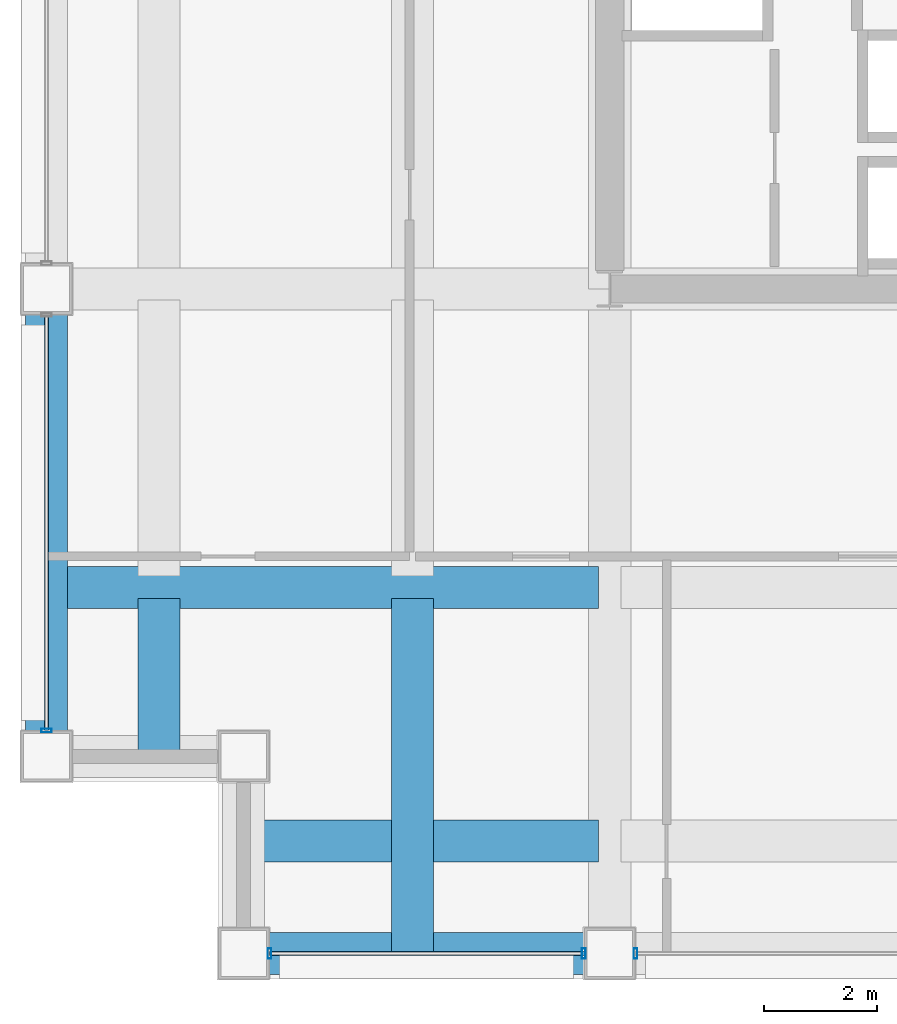
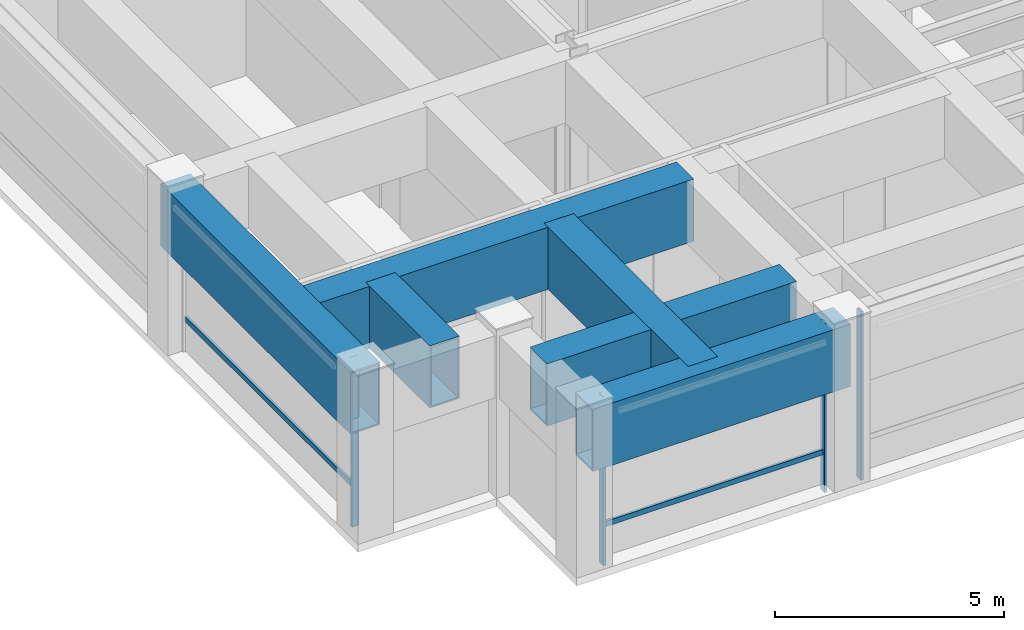
# One storey, part 2 of 29: 6 beams, 6 members, 3 elements without a shape of their own.
"""IFC4 building model written with IfcOpenShell, lengths in metres."""

import ifcopenshell
import ifcopenshell.guid

model = None  # the IFC model being written
_history = None  # IfcOwnerHistory: only IFC2X3 demands one
_inside = {}  # id of a spatial element -> (the spatial element, [elements in it])
_under = {}  # id of a project, library or spatial element -> (it, [spatial elements below it])
_declared = {}  # id of a project -> (the project, [libraries it declares])
_typed = {}  # id of a type object -> (the type object, [elements of that type])
_made_of = {}  # id of a material, layer set ... -> (it, [elements and type objects made of it])


def new_model(schema):
    """Start an empty IFC model of exactly this schema.

    Asked for "IFC4X3", IfcOpenShell would pick the latest addendum, in which some entities
    have other attributes; the version numbers below select the first issue.
    IFC2X3 requires an IfcOwnerHistory on every rooted entity: one is made here for all.
    """
    global model, _history
    if schema == "IFC4X3":
        model = ifcopenshell.file(schema_version=(4, 3, 0, 0))
    else:
        model = ifcopenshell.file(schema=schema)
    _inside.clear()
    _under.clear()
    _declared.clear()
    _typed.clear()
    _made_of.clear()
    _history = None
    if model.schema == "IFC2X3":
        org = make("IfcOrganization", Name="unknown")
        user = make(
            "IfcPersonAndOrganization",
            ThePerson=make("IfcPerson", FamilyName="unknown"),
            TheOrganization=org,
        )
        app = make(
            "IfcApplication",
            ApplicationDeveloper=org,
            Version="unknown",
            ApplicationFullName="unknown",
            ApplicationIdentifier="unknown",
        )
        _history = make(
            "IfcOwnerHistory",
            OwningUser=user,
            OwningApplication=app,
            ChangeAction="ADDED",
            CreationDate=0,
        )
    return model


def make(cls, **values):
    """One entity of the class cls with the attributes given. An attribute that is None is left unset."""
    return model.create_entity(
        cls, **{name: value for name, value in values.items() if value is not None}
    )


def rooted(cls, **values):
    """An entity with a GlobalId (a new one), such as an element, a storey or a relation."""
    return make(cls, GlobalId=ifcopenshell.guid.new(), OwnerHistory=_history, **values)


def si_unit(unit_type, name, prefix=None):
    """IfcSIUnit, for example si_unit("LENGTHUNIT", "METRE", prefix="MILLI")."""
    return make("IfcSIUnit", UnitType=unit_type, Prefix=prefix, Name=name)


def assignment(units):
    """IfcUnitAssignment: the units of a project."""
    return None if units is None else make("IfcUnitAssignment", Units=units)


def point(xyz):
    """IfcCartesianPoint."""
    return None if xyz is None else make("IfcCartesianPoint", Coordinates=xyz)


def direction(xyz):
    """IfcDirection."""
    return None if xyz is None else make("IfcDirection", DirectionRatios=xyz)


def frame(location, z_axis=None, x_axis=None):
    """IfcAxis2Placement3D, a coordinate frame: its origin and axes. An axis left out is left unset."""
    return make(
        "IfcAxis2Placement3D",
        Location=point(location),
        Axis=direction(z_axis),
        RefDirection=direction(x_axis),
    )


def frame_2d(location, x_axis=None):
    """IfcAxis2Placement2D, a coordinate frame in the plane: its origin and x axis."""
    return make(
        "IfcAxis2Placement2D", Location=point(location), RefDirection=direction(x_axis)
    )


def origin():
    """The frame at (0, 0, 0) with its axes left unset."""
    return frame((0.0, 0.0, 0.0))


def origin_2d():
    """The frame at (0, 0) in the plane with its x axis left unset."""
    return frame_2d((0.0, 0.0))


def place(relative_to, where):
    """IfcLocalPlacement: puts the frame where relative to a parent placement (None: the world)."""
    return make(
        "IfcLocalPlacement", PlacementRelTo=relative_to, RelativePlacement=where
    )


def context(
    kind, dimensions, precision=None, world=None, true_north=None, identifier=None
):
    """IfcGeometricRepresentationContext, for example the 3D "Model" context."""
    return make(
        "IfcGeometricRepresentationContext",
        ContextIdentifier=identifier,
        ContextType=kind,
        CoordinateSpaceDimension=dimensions,
        Precision=precision,
        WorldCoordinateSystem=world,
        TrueNorth=true_north,
    )


def subcontext(parent, identifier, kind, view, scale=None):
    """IfcGeometricRepresentationSubContext, for example "Body" below "Model"."""
    return make(
        "IfcGeometricRepresentationSubContext",
        ContextIdentifier=identifier,
        ContextType=kind,
        ParentContext=parent,
        TargetScale=scale,
        TargetView=view,
    )


def project(units=None, contexts=None):
    """IfcProject with its units and contexts."""
    return rooted(
        "IfcProject",
        Name="project",
        RepresentationContexts=contexts,
        UnitsInContext=assignment(units),
    )


def spatial(cls, under=None, at=None, **own):
    """A site, building, storey or space (cls), placed at a placement, below another one or the project."""
    s = rooted(cls, ObjectPlacement=at, **own)
    if under is not None:
        _under.setdefault(under.id(), (under, []))[1].append(s)
    return s


def profile(cls, at=None, kind="AREA", **sizes):
    """A parametric profile (cls). Its sizes go by their IFC names, for example OverallWidth=200.0."""
    return make(cls, ProfileType=kind, Position=at, **sizes)


def hollow_rectangle(**sizes):
    """IfcRectangleHollowProfileDef."""
    return profile("IfcRectangleHollowProfileDef", **sizes)


def extrude(swept, where, along, depth):
    """IfcExtrudedAreaSolid: the profile swept, set in the frame where, extruded along a direction by depth."""
    return make(
        "IfcExtrudedAreaSolid",
        SweptArea=swept,
        Position=where,
        ExtrudedDirection=direction(along),
        Depth=depth,
    )


def shape(context_of_items, identifier, shape_type, items):
    """IfcShapeRepresentation: the items that make up one representation, for example the "Body"."""
    return make(
        "IfcShapeRepresentation",
        ContextOfItems=context_of_items,
        RepresentationIdentifier=identifier,
        RepresentationType=shape_type,
        Items=items,
    )


def material(Name=None, Category=None):
    """IfcMaterial."""
    return make("IfcMaterial", Name=Name, Category=Category)


def layer(
    of_material, thickness, ventilated=None, Name=None, Category=None, Priority=None
):
    """IfcMaterialLayer: one layer of a wall or slab, of a material (None: an air gap)."""
    return make(
        "IfcMaterialLayer",
        Material=of_material,
        LayerThickness=thickness,
        IsVentilated=ventilated,
        Name=Name,
        Category=Category,
        Priority=Priority,
    )


def layer_set(layers, Name=None):
    """IfcMaterialLayerSet."""
    return make("IfcMaterialLayerSet", MaterialLayers=layers, LayerSetName=Name)


def material_profile(
    of_material, cross_section, Name=None, Category=None, Priority=None
):
    """IfcMaterialProfile: a cross section and its material."""
    return make(
        "IfcMaterialProfile",
        Name=Name,
        Material=of_material,
        Profile=cross_section,
        Priority=Priority,
        Category=Category,
    )


def profile_set(profiles, Name=None, composite=None):
    """IfcMaterialProfileSet."""
    return make(
        "IfcMaterialProfileSet",
        Name=Name,
        MaterialProfiles=profiles,
        CompositeProfile=composite,
    )


def made_of(thing, what):
    """Note that an element or type object is made of a material, layer set ...; save() writes the relation."""
    if what is not None:
        _made_of.setdefault(what.id(), (what, []))[1].append(thing)
    return thing


def type_object(cls, material=None, **own):
    """A type object (cls), such as IfcWallType, which elements share."""
    return made_of(rooted(cls, **own), material)


def element(
    cls,
    number,
    at=None,
    inside=None,
    cuts=None,
    type_object=None,
    material=None,
    context=None,
    identifier="Body",
    shape_type=None,
    held_by="IfcProductDefinitionShape",
    body=None,
    shapes=None,
    **own,
):
    """One element of the class cls, such as IfcWall. Its Tag is "e" and its number.

    at: its placement. inside: the storey or other place that contains it. cuts: it is an
    opening in that element (IfcRelVoidsElement). A single representation is given by context,
    identifier, shape_type and body (its items); several are given by shapes. held_by: the class
    of the entity that holds the representations. save() writes the other relations.
    """
    e = rooted(cls, Tag="e%d" % number, ObjectPlacement=at, **own)
    if body is not None:
        shapes = [shape(context, identifier, shape_type, body)]
    if shapes is not None:
        e.Representation = make(held_by, Representations=shapes)
    if inside is not None:
        _inside.setdefault(inside.id(), (inside, []))[1].append(e)
    if cuts is not None:
        rooted(
            "IfcRelVoidsElement", RelatingBuildingElement=cuts, RelatedOpeningElement=e
        )
    if type_object is not None:
        _typed.setdefault(type_object.id(), (type_object, []))[1].append(e)
    return made_of(e, material)


def aggregate(whole, parts):
    """IfcRelAggregates: a whole, such as a stair, and the parts it consists of."""
    return rooted("IfcRelAggregates", RelatingObject=whole, RelatedObjects=parts)


def save(model, path):
    """Write the relations noted so far, then the file.

    IfcRelAggregates (storeys below a building ...), IfcRelContainedInSpatialStructure (elements
    in a storey), IfcRelDefinesByType, IfcRelAssociatesMaterial and IfcRelDeclares: one each for
    every whole, place, type object, material and project.
    """
    for whole, parts in _under.values():
        aggregate(whole, parts)
    for where, things in _inside.values():
        rooted(
            "IfcRelContainedInSpatialStructure",
            RelatedElements=things,
            RelatingStructure=where,
        )
    for kind, things in _typed.values():
        rooted("IfcRelDefinesByType", RelatedObjects=things, RelatingType=kind)
    for what, things in _made_of.values():
        rooted("IfcRelAssociatesMaterial", RelatedObjects=things, RelatingMaterial=what)
    for by, libraries in _declared.values():
        rooted("IfcRelDeclares", RelatingContext=by, RelatedDefinitions=libraries)
    model.write(path)


model = new_model("IFC4")

# Units and contexts
model_context = context("Model", 3, precision=1e-05, world=origin(), true_north=direction((0.0, 1.0)))
body_context = subcontext(model_context, "Body", "Model", "MODEL_VIEW")
ifc_project = project(units=[si_unit("LENGTHUNIT", "METRE"), si_unit("AREAUNIT", "SQUARE_METRE"), si_unit("VOLUMEUNIT", "CUBIC_METRE"), si_unit("PLANEANGLEUNIT", "RADIAN"), si_unit("MASSUNIT", "GRAM", prefix="KILO")], contexts=[model_context])

# Site, building, storey
site_placement = place(None, origin())
site = spatial("IfcSite", under=ifc_project, at=site_placement, CompositionType="ELEMENT")
building_placement = place(site_placement, origin())
building = spatial("IfcBuilding", under=site, at=building_placement, Name="Brelmoor Portico Tower", CompositionType="ELEMENT")
storey_placement = place(building_placement, frame((0.0, 0.0, 82.800048828125)))
storey = spatial("IfcBuildingStorey", under=building, at=storey_placement, Name="L21", CompositionType="ELEMENT", Elevation=82.800048828125)

# Beams
ifc_material_1 = material(Name="Steel Q355B", Category="steel")
ifc_material_profile_1 = material_profile(ifc_material_1, hollow_rectangle(XDim=0.75, YDim=1.659912109375, WallThickness=0.0419921875, at=origin_2d()), Name="BOX 750x1660x42")
ifc_profile_set_1 = profile_set([ifc_material_profile_1], Name="Steel Q355B")
beam_type = type_object("IfcBeamType", Name="BM-TG-Z2", PredefinedType="BEAM", material=ifc_profile_set_1)
beam_1_placement = place(storey_placement, frame((-21.050048828125, -21.550048828125, 3.469970703125), z_axis=(1.0, 0.0, 0.0), x_axis=(0.0, 1.0, 0.0)))
element("IfcBeam", 1, at=beam_1_placement, inside=storey, type_object=beam_type, Name="L21 Perimeter Transfer Beam SP-01", PredefinedType="BEAM", context=body_context, shape_type="SweptSolid", body=[
    extrude(hollow_rectangle(XDim=0.75, YDim=1.659912109375, WallThickness=0.0419921875, at=origin_2d()), origin(), (0.0, 0.0, 1.0), 6.5),
])
beam_2_placement = place(storey_placement, frame((-24.550048828125, -18.050048828125, 3.469970703125), z_axis=(0.0, 1.0, 0.0), x_axis=(-1.0, 0.0, 0.0)))
element("IfcBeam", 2, at=beam_2_placement, inside=storey, type_object=beam_type, Name="L21 Perimeter Transfer Beam SP-15", PredefinedType="BEAM", context=body_context, shape_type="SweptSolid", body=[
    extrude(hollow_rectangle(XDim=0.75, YDim=1.659912109375, WallThickness=0.0419921875, at=origin_2d()), origin(), (0.0, 0.0, 1.0), 8.300048828125),
])
beam_3_placement = place(storey_placement, frame((-21.050048828125, -19.550048828125, 3.469970703125), z_axis=(1.0, 0.0, 0.0), x_axis=(0.0, 1.0, 0.0)))
element("IfcBeam", 3, at=beam_3_placement, inside=storey, type_object=beam_type, Name="L21 Setback Transfer Girder TGN-01", PredefinedType="BEAM", context=body_context, shape_type="SweptSolid", body=[
    extrude(hollow_rectangle(XDim=0.75, YDim=1.659912109375, WallThickness=0.0419921875, at=origin_2d()), origin(), (0.0, 0.0, 1.0), 6.300048828125),
])
beam_4_placement = place(storey_placement, frame((-24.550048828125, -15.050048828125, 3.469970703125), z_axis=(1.0, 0.0, 0.0), x_axis=(0.0, 1.0, 0.0)))
element("IfcBeam", 4, at=beam_4_placement, inside=storey, type_object=beam_type, Name="L21 Setback Transfer Girder TGN-11", PredefinedType="BEAM", context=body_context, shape_type="SweptSolid", body=[
    extrude(hollow_rectangle(XDim=0.75, YDim=1.659912109375, WallThickness=0.0419921875, at=origin_2d()), origin(), (0.0, 0.0, 1.0), 9.800048828125),
])
beam_5_placement = place(storey_placement, frame((-18.050048828125, -21.550048828125, 3.469970703125), z_axis=(0.0, 1.0, 0.0), x_axis=(-1.0, 0.0, 0.0)))
element("IfcBeam", 5, at=beam_5_placement, inside=storey, type_object=beam_type, Name="L21 Setback Transfer Girder TGN-21", PredefinedType="BEAM", context=body_context, shape_type="SweptSolid", body=[
    extrude(hollow_rectangle(XDim=0.75, YDim=1.659912109375, WallThickness=0.0419921875, at=origin_2d()), origin(), (0.0, 0.0, 1.0), 6.300048828125),
])
beam_6_placement = place(storey_placement, frame((-22.550048828125, -18.050048828125, 3.469970703125), z_axis=(0.0, 1.0, 0.0), x_axis=(-1.0, 0.0, 0.0)))
element("IfcBeam", 6, at=beam_6_placement, inside=storey, type_object=beam_type, Name="L21 Setback Transfer Girder TGN-31", PredefinedType="BEAM", context=body_context, shape_type="SweptSolid", body=[
    extrude(hollow_rectangle(XDim=0.75, YDim=1.659912109375, WallThickness=0.0419921875, at=origin_2d()), origin(), (0.0, 0.0, 1.0), 2.800048828125),
])

# Curtain wall, members
ifc_material_2 = material(Name="Anodised Aluminium Alloy 6063-T6", Category="aluminium")
ifc_layer = layer(ifc_material_2, 0.179931640625)
ifc_layer_set = layer_set([ifc_layer], Name="Anodised Aluminium Alloy 6063-T6")
curtain_wall_type = type_object("IfcCurtainWallType", Name="CW-TOWER-Z1", PredefinedType="NOTDEFINED", material=ifc_layer_set)
curtain_wall_1_placement = place(storey_placement, origin())
curtain_wall_1 = element("IfcCurtainWall", 7, at=curtain_wall_1_placement, inside=storey, type_object=curtain_wall_type, Name="L21 Curtain Wall CW-L21-01-1", PredefinedType="NOTDEFINED")
ifc_material_profile_2 = material_profile(ifc_material_2, hollow_rectangle(XDim=0.06494140625, YDim=0.179931640625, WallThickness=0.00390625, at=origin_2d()), Name="ALU MULLION 65x180")
ifc_profile_set_2 = profile_set([ifc_material_profile_2], Name="Anodised Aluminium Alloy 6063-T6")
member_type_1 = type_object("IfcMemberType", Name="MB-CW-MULL-180", PredefinedType="MULLION", material=ifc_profile_set_2)
member_1_placement = place(storey_placement, frame((-20.590087890625, -21.550048828125, -0.199951171875), z_axis=(0.0, 0.0, 1.0), x_axis=(1.0, 0.0, 0.0)))
member_1 = element("IfcMember", 8, at=member_1_placement, type_object=member_type_1, Name="CW-L21-01-1 Mullion 00", PredefinedType="MULLION", context=body_context, shape_type="SweptSolid", body=[
    extrude(hollow_rectangle(XDim=0.06494140625, YDim=0.179931640625, WallThickness=0.00390625, at=origin_2d()), origin(), (0.0, 0.0, 1.0), 4.5),
])
member_2_placement = place(storey_placement, frame((-15.010009765625, -21.550048828125, -0.199951171875), z_axis=(0.0, 0.0, 1.0), x_axis=(1.0, 0.0, 0.0)))
member_2 = element("IfcMember", 9, at=member_2_placement, type_object=member_type_1, Name="CW-L21-01-1 Mullion 01", PredefinedType="MULLION", context=body_context, shape_type="SweptSolid", body=[
    extrude(hollow_rectangle(XDim=0.06494140625, YDim=0.179931640625, WallThickness=0.00390625, at=origin_2d()), origin(), (0.0, 0.0, 1.0), 4.5),
])

# Curtain wall, member
curtain_wall_2_placement = place(storey_placement, origin())
curtain_wall_2 = element("IfcCurtainWall", 10, at=curtain_wall_2_placement, inside=storey, type_object=curtain_wall_type, Name="L21 Curtain Wall CW-L21-01-2", PredefinedType="NOTDEFINED")
member_3_placement = place(storey_placement, frame((-14.090087890625, -21.550048828125, -0.199951171875), z_axis=(0.0, 0.0, 1.0), x_axis=(1.0, 0.0, 0.0)))
member_3 = element("IfcMember", 11, at=member_3_placement, type_object=member_type_1, Name="CW-L21-01-2 Mullion 00", PredefinedType="MULLION", context=body_context, shape_type="SweptSolid", body=[
    extrude(hollow_rectangle(XDim=0.06494140625, YDim=0.179931640625, WallThickness=0.00390625, at=origin_2d()), origin(), (0.0, 0.0, 1.0), 4.5),
])
aggregate(curtain_wall_2, [member_3])

curtain_wall_3_placement = place(storey_placement, origin())
curtain_wall_3 = element("IfcCurtainWall", 12, at=curtain_wall_3_placement, inside=storey, type_object=curtain_wall_type, Name="L21 Curtain Wall CW-L21-03-1", PredefinedType="NOTDEFINED")
member_4_placement = place(storey_placement, frame((-24.550048828125, -17.590087890625, -0.199951171875), z_axis=(0.0, 0.0, 1.0), x_axis=(0.0, 1.0, 0.0)))
member_4 = element("IfcMember", 13, at=member_4_placement, type_object=member_type_1, Name="CW-L21-03-1 Mullion 00", PredefinedType="MULLION", context=body_context, shape_type="SweptSolid", body=[
    extrude(hollow_rectangle(XDim=0.06494140625, YDim=0.179931640625, WallThickness=0.00390625, at=origin_2d()), origin(), (0.0, 0.0, 1.0), 4.5),
])

# Member
ifc_material_profile_3 = material_profile(ifc_material_2, hollow_rectangle(XDim=0.06494140625, YDim=0.139892578125, WallThickness=0.00390625, at=origin_2d()), Name="ALU TRANSOM 65x140")
ifc_profile_set_3 = profile_set([ifc_material_profile_3], Name="Anodised Aluminium Alloy 6063-T6")
member_type_2 = type_object("IfcMemberType", Name="MB-CW-TRAN-140", PredefinedType="USERDEFINED", material=ifc_profile_set_3)
member_5_placement = place(storey_placement, frame((-20.590087890625, -21.550048828125, 0.849853515625), z_axis=(1.0, 0.0, 0.0), x_axis=(0.0, 1.0, 0.0)))
member_5 = element("IfcMember", 14, at=member_5_placement, type_object=member_type_2, Name="CW-L21-01-1 Transom 1-00", ObjectType="TRANSOM", PredefinedType="USERDEFINED", context=body_context, shape_type="SweptSolid", body=[
    extrude(hollow_rectangle(XDim=0.06494140625, YDim=0.139892578125, WallThickness=0.00390625, at=origin_2d()), origin(), (0.0, 0.0, 1.0), 5.580078125),
])

aggregate(curtain_wall_1, [member_1, member_2, member_5])

member_6_placement = place(storey_placement, frame((-24.550048828125, -17.590087890625, 0.849853515625), z_axis=(0.0, 1.0, 0.0), x_axis=(-1.0, 0.0, 0.0)))
member_6 = element("IfcMember", 15, at=member_6_placement, type_object=member_type_2, Name="CW-L21-03-1 Transom 1-00", ObjectType="TRANSOM", PredefinedType="USERDEFINED", context=body_context, shape_type="SweptSolid", body=[
    extrude(hollow_rectangle(XDim=0.06494140625, YDim=0.139892578125, WallThickness=0.00390625, at=origin_2d()), origin(), (0.0, 0.0, 1.0), 7.380126953125),
])

aggregate(curtain_wall_3, [member_4, member_6])

save(model, "model.ifc")
